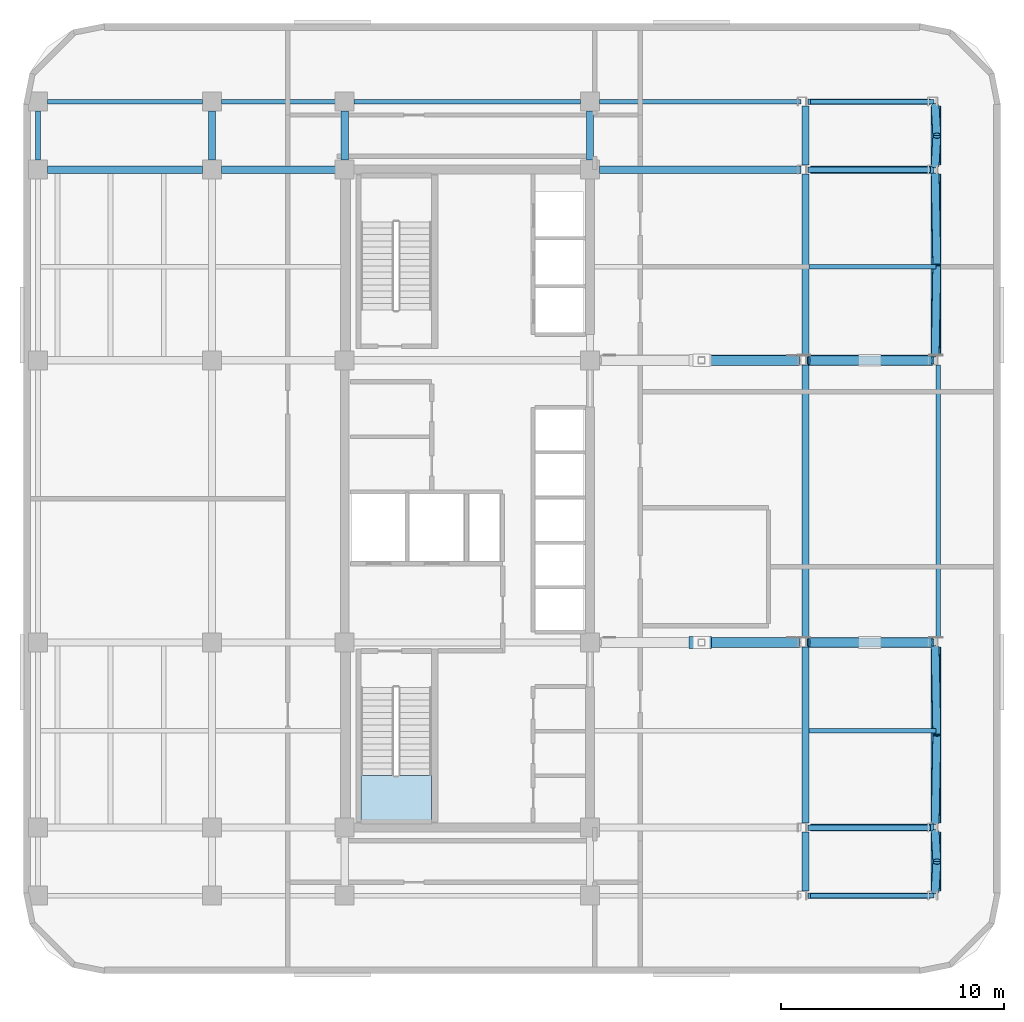
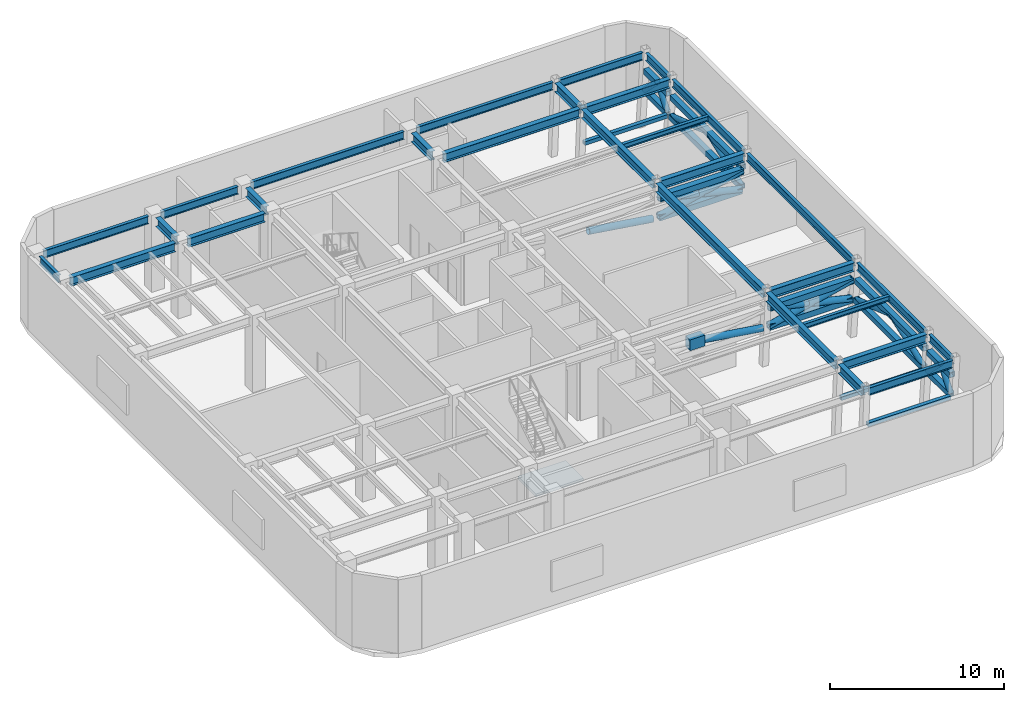
# One storey, part 3 of 12: 32 members, 29 beams, 1 plate, 1 slab, 1 element without a shape of its own.
"""IFC4 building model written with IfcOpenShell, lengths in metres."""

import ifcopenshell
import ifcopenshell.guid

model = None  # the IFC model being written
_history = None  # IfcOwnerHistory: only IFC2X3 demands one
_inside = {}  # id of a spatial element -> (the spatial element, [elements in it])
_under = {}  # id of a project, library or spatial element -> (it, [spatial elements below it])
_declared = {}  # id of a project -> (the project, [libraries it declares])
_typed = {}  # id of a type object -> (the type object, [elements of that type])
_made_of = {}  # id of a material, layer set ... -> (it, [elements and type objects made of it])


def new_model(schema):
    """Start an empty IFC model of exactly this schema.

    Asked for "IFC4X3", IfcOpenShell would pick the latest addendum, in which some entities
    have other attributes; the version numbers below select the first issue.
    IFC2X3 requires an IfcOwnerHistory on every rooted entity: one is made here for all.
    """
    global model, _history
    if schema == "IFC4X3":
        model = ifcopenshell.file(schema_version=(4, 3, 0, 0))
    else:
        model = ifcopenshell.file(schema=schema)
    _inside.clear()
    _under.clear()
    _declared.clear()
    _typed.clear()
    _made_of.clear()
    _history = None
    if model.schema == "IFC2X3":
        org = make("IfcOrganization", Name="unknown")
        user = make(
            "IfcPersonAndOrganization",
            ThePerson=make("IfcPerson", FamilyName="unknown"),
            TheOrganization=org,
        )
        app = make(
            "IfcApplication",
            ApplicationDeveloper=org,
            Version="unknown",
            ApplicationFullName="unknown",
            ApplicationIdentifier="unknown",
        )
        _history = make(
            "IfcOwnerHistory",
            OwningUser=user,
            OwningApplication=app,
            ChangeAction="ADDED",
            CreationDate=0,
        )
    return model


def make(cls, **values):
    """One entity of the class cls with the attributes given. An attribute that is None is left unset."""
    return model.create_entity(
        cls, **{name: value for name, value in values.items() if value is not None}
    )


def rooted(cls, **values):
    """An entity with a GlobalId (a new one), such as an element, a storey or a relation."""
    return make(cls, GlobalId=ifcopenshell.guid.new(), OwnerHistory=_history, **values)


def si_unit(unit_type, name, prefix=None):
    """IfcSIUnit, for example si_unit("LENGTHUNIT", "METRE", prefix="MILLI")."""
    return make("IfcSIUnit", UnitType=unit_type, Prefix=prefix, Name=name)


def assignment(units):
    """IfcUnitAssignment: the units of a project."""
    return None if units is None else make("IfcUnitAssignment", Units=units)


def point(xyz):
    """IfcCartesianPoint."""
    return None if xyz is None else make("IfcCartesianPoint", Coordinates=xyz)


def direction(xyz):
    """IfcDirection."""
    return None if xyz is None else make("IfcDirection", DirectionRatios=xyz)


def frame(location, z_axis=None, x_axis=None):
    """IfcAxis2Placement3D, a coordinate frame: its origin and axes. An axis left out is left unset."""
    return make(
        "IfcAxis2Placement3D",
        Location=point(location),
        Axis=direction(z_axis),
        RefDirection=direction(x_axis),
    )


def frame_2d(location, x_axis=None):
    """IfcAxis2Placement2D, a coordinate frame in the plane: its origin and x axis."""
    return make(
        "IfcAxis2Placement2D", Location=point(location), RefDirection=direction(x_axis)
    )


def origin():
    """The frame at (0, 0, 0) with its axes left unset."""
    return frame((0.0, 0.0, 0.0))


def origin_2d():
    """The frame at (0, 0) in the plane with its x axis left unset."""
    return frame_2d((0.0, 0.0))


def place(relative_to, where):
    """IfcLocalPlacement: puts the frame where relative to a parent placement (None: the world)."""
    return make(
        "IfcLocalPlacement", PlacementRelTo=relative_to, RelativePlacement=where
    )


def context(
    kind, dimensions, precision=None, world=None, true_north=None, identifier=None
):
    """IfcGeometricRepresentationContext, for example the 3D "Model" context."""
    return make(
        "IfcGeometricRepresentationContext",
        ContextIdentifier=identifier,
        ContextType=kind,
        CoordinateSpaceDimension=dimensions,
        Precision=precision,
        WorldCoordinateSystem=world,
        TrueNorth=true_north,
    )


def subcontext(parent, identifier, kind, view, scale=None):
    """IfcGeometricRepresentationSubContext, for example "Body" below "Model"."""
    return make(
        "IfcGeometricRepresentationSubContext",
        ContextIdentifier=identifier,
        ContextType=kind,
        ParentContext=parent,
        TargetScale=scale,
        TargetView=view,
    )


def project(units=None, contexts=None):
    """IfcProject with its units and contexts."""
    return rooted(
        "IfcProject",
        Name="project",
        RepresentationContexts=contexts,
        UnitsInContext=assignment(units),
    )


def spatial(cls, under=None, at=None, **own):
    """A site, building, storey or space (cls), placed at a placement, below another one or the project."""
    s = rooted(cls, ObjectPlacement=at, **own)
    if under is not None:
        _under.setdefault(under.id(), (under, []))[1].append(s)
    return s


def polyline(points):
    """IfcPolyline through the points."""
    return make("IfcPolyline", Points=[point(p) for p in points])


def profile(cls, at=None, kind="AREA", **sizes):
    """A parametric profile (cls). Its sizes go by their IFC names, for example OverallWidth=200.0."""
    return make(cls, ProfileType=kind, Position=at, **sizes)


def rectangle(**sizes):
    """IfcRectangleProfileDef."""
    return profile("IfcRectangleProfileDef", **sizes)


def hollow_rectangle(**sizes):
    """IfcRectangleHollowProfileDef."""
    return profile("IfcRectangleHollowProfileDef", **sizes)


def hollow_circle(**sizes):
    """IfcCircleHollowProfileDef."""
    return profile("IfcCircleHollowProfileDef", **sizes)


def i_section(**sizes):
    """IfcIShapeProfileDef."""
    return profile("IfcIShapeProfileDef", **sizes)


def outline(outer, holes=None, kind="AREA"):
    """IfcArbitraryClosedProfileDef: a profile drawn as a closed curve; with holes, ...WithVoids."""
    if holes is None:
        return make("IfcArbitraryClosedProfileDef", ProfileType=kind, OuterCurve=outer)
    return make(
        "IfcArbitraryProfileDefWithVoids",
        ProfileType=kind,
        OuterCurve=outer,
        InnerCurves=holes,
    )


def extrude(swept, where, along, depth):
    """IfcExtrudedAreaSolid: the profile swept, set in the frame where, extruded along a direction by depth."""
    return make(
        "IfcExtrudedAreaSolid",
        SweptArea=swept,
        Position=where,
        ExtrudedDirection=direction(along),
        Depth=depth,
    )


def shape(context_of_items, identifier, shape_type, items):
    """IfcShapeRepresentation: the items that make up one representation, for example the "Body"."""
    return make(
        "IfcShapeRepresentation",
        ContextOfItems=context_of_items,
        RepresentationIdentifier=identifier,
        RepresentationType=shape_type,
        Items=items,
    )


def material(Name=None, Category=None):
    """IfcMaterial."""
    return make("IfcMaterial", Name=Name, Category=Category)


def layer(
    of_material, thickness, ventilated=None, Name=None, Category=None, Priority=None
):
    """IfcMaterialLayer: one layer of a wall or slab, of a material (None: an air gap)."""
    return make(
        "IfcMaterialLayer",
        Material=of_material,
        LayerThickness=thickness,
        IsVentilated=ventilated,
        Name=Name,
        Category=Category,
        Priority=Priority,
    )


def layer_set(layers, Name=None):
    """IfcMaterialLayerSet."""
    return make("IfcMaterialLayerSet", MaterialLayers=layers, LayerSetName=Name)


def material_profile(
    of_material, cross_section, Name=None, Category=None, Priority=None
):
    """IfcMaterialProfile: a cross section and its material."""
    return make(
        "IfcMaterialProfile",
        Name=Name,
        Material=of_material,
        Profile=cross_section,
        Priority=Priority,
        Category=Category,
    )


def profile_set(profiles, Name=None, composite=None):
    """IfcMaterialProfileSet."""
    return make(
        "IfcMaterialProfileSet",
        Name=Name,
        MaterialProfiles=profiles,
        CompositeProfile=composite,
    )


def made_of(thing, what):
    """Note that an element or type object is made of a material, layer set ...; save() writes the relation."""
    if what is not None:
        _made_of.setdefault(what.id(), (what, []))[1].append(thing)
    return thing


def type_object(cls, material=None, **own):
    """A type object (cls), such as IfcWallType, which elements share."""
    return made_of(rooted(cls, **own), material)


def element(
    cls,
    number,
    at=None,
    inside=None,
    cuts=None,
    type_object=None,
    material=None,
    context=None,
    identifier="Body",
    shape_type=None,
    held_by="IfcProductDefinitionShape",
    body=None,
    shapes=None,
    **own,
):
    """One element of the class cls, such as IfcWall. Its Tag is "e" and its number.

    at: its placement. inside: the storey or other place that contains it. cuts: it is an
    opening in that element (IfcRelVoidsElement). A single representation is given by context,
    identifier, shape_type and body (its items); several are given by shapes. held_by: the class
    of the entity that holds the representations. save() writes the other relations.
    """
    e = rooted(cls, Tag="e%d" % number, ObjectPlacement=at, **own)
    if body is not None:
        shapes = [shape(context, identifier, shape_type, body)]
    if shapes is not None:
        e.Representation = make(held_by, Representations=shapes)
    if inside is not None:
        _inside.setdefault(inside.id(), (inside, []))[1].append(e)
    if cuts is not None:
        rooted(
            "IfcRelVoidsElement", RelatingBuildingElement=cuts, RelatedOpeningElement=e
        )
    if type_object is not None:
        _typed.setdefault(type_object.id(), (type_object, []))[1].append(e)
    return made_of(e, material)


def aggregate(whole, parts):
    """IfcRelAggregates: a whole, such as a stair, and the parts it consists of."""
    return rooted("IfcRelAggregates", RelatingObject=whole, RelatedObjects=parts)


def save(model, path):
    """Write the relations noted so far, then the file.

    IfcRelAggregates (storeys below a building ...), IfcRelContainedInSpatialStructure (elements
    in a storey), IfcRelDefinesByType, IfcRelAssociatesMaterial and IfcRelDeclares: one each for
    every whole, place, type object, material and project.
    """
    for whole, parts in _under.values():
        aggregate(whole, parts)
    for where, things in _inside.values():
        rooted(
            "IfcRelContainedInSpatialStructure",
            RelatedElements=things,
            RelatingStructure=where,
        )
    for kind, things in _typed.values():
        rooted("IfcRelDefinesByType", RelatedObjects=things, RelatingType=kind)
    for what, things in _made_of.values():
        rooted("IfcRelAssociatesMaterial", RelatedObjects=things, RelatingMaterial=what)
    for by, libraries in _declared.values():
        rooted("IfcRelDeclares", RelatingContext=by, RelatedDefinitions=libraries)
    model.write(path)


model = new_model("IFC4")

# Units and contexts
model_context = context("Model", 3, precision=1e-05, world=origin(), true_north=direction((0.0, 1.0)))
body_context = subcontext(model_context, "Body", "Model", "MODEL_VIEW")
ifc_project = project(units=[si_unit("LENGTHUNIT", "METRE"), si_unit("AREAUNIT", "SQUARE_METRE"), si_unit("VOLUMEUNIT", "CUBIC_METRE"), si_unit("PLANEANGLEUNIT", "RADIAN"), si_unit("MASSUNIT", "GRAM", prefix="KILO")], contexts=[model_context])

# Site, building, storey
site_placement = place(None, origin())
site = spatial("IfcSite", under=ifc_project, at=site_placement, CompositionType="ELEMENT")
building_placement = place(site_placement, origin())
building = spatial("IfcBuilding", under=site, at=building_placement, Name="Ochreholt Gables", CompositionType="ELEMENT")
storey_placement = place(building_placement, frame((0.0, 0.0, 135.60009765625)))
storey = spatial("IfcBuildingStorey", under=building, at=storey_placement, Name="L35", CompositionType="ELEMENT", Elevation=135.60009765625)

# Beams
ifc_material_1 = material(Name="Steel CSA G40.21 350W", Category="steel")
ifc_material_profile_1 = material_profile(ifc_material_1, i_section(OverallWidth=0.323974609375, OverallDepth=0.611083984375, WebThickness=0.0126953125, FlangeThickness=0.01904296875, at=origin_2d()), Name="W610X155")
ifc_profile_set_1 = profile_set([ifc_material_profile_1], Name="Steel CSA G40.21 350W")
beam_type_1 = type_object("IfcBeamType", Name="BM-G-W610A", PredefinedType="BEAM", material=ifc_profile_set_1)
for number, where, z_axis, x_axis, name in (
    (1, (45.073486328125, 9.25, 4.8544921875), (1.0, 0.0, 0.0), (0.0, 1.0, 0.0), "L35 Beam TBG-L35-EMEE-Y2"),
    (2, (45.073486328125, 17.550048828125, 4.8544921875), (1.0, 0.0, 0.0), (0.0, 1.0, 0.0), "L35 Beam TBG-L35-EMEE-Y3"),
    (3, (45.073486328125, 30.199951171875, 4.8544921875), (1.0, 0.0, 0.0), (0.0, 1.0, 0.0), "L35 Beam TBG-L35-EMEE-Y4"),
):
    element("IfcBeam", number, at=place(storey_placement, frame(where, z_axis=z_axis, x_axis=x_axis)), inside=storey, type_object=beam_type_1, Name=name, PredefinedType="BEAM", context=body_context, shape_type="SweptSolid", body=[
        extrude(i_section(OverallWidth=0.323974609375, OverallDepth=0.611083984375, WebThickness=0.0126953125, FlangeThickness=0.01904296875, at=origin_2d()), origin(), (0.0, 0.0, 1.0), 5.55859375),
    ])
beam_1_placement = place(storey_placement, frame((10.87451171875, 38.75, 4.8544921875), z_axis=(1.0, 0.0, 0.0), x_axis=(0.0, 1.0, 0.0)))
element("IfcBeam", 4, at=beam_1_placement, inside=storey, type_object=beam_type_1, Name="L35 Beam TBG-L35-W2W3-Y5", PredefinedType="BEAM", context=body_context, shape_type="SweptSolid", body=[
    extrude(i_section(OverallWidth=0.323974609375, OverallDepth=0.611083984375, WebThickness=0.0126953125, FlangeThickness=0.01904296875, at=origin_2d()), origin(), (0.0, 0.0, 1.0), 6.950927734375),
])
beam_2_placement = place(storey_placement, frame((18.674560546875, 38.75, 4.8544921875), z_axis=(1.0, 0.0, 0.0), x_axis=(0.0, 1.0, 0.0)))
element("IfcBeam", 5, at=beam_2_placement, inside=storey, type_object=beam_type_1, Name="L35 Beam TBG-L35-W3C1-Y5", PredefinedType="BEAM", context=body_context, shape_type="SweptSolid", body=[
    extrude(i_section(OverallWidth=0.323974609375, OverallDepth=0.611083984375, WebThickness=0.0126953125, FlangeThickness=0.01904296875, at=origin_2d()), origin(), (0.0, 0.0, 1.0), 5.100830078125),
])
beam_3_placement = place(storey_placement, frame((35.62451171875, 38.75, 4.8544921875), z_axis=(1.0, 0.0, 0.0), x_axis=(0.0, 1.0, 0.0)))
element("IfcBeam", 6, at=beam_3_placement, inside=storey, type_object=beam_type_1, Name="L35 Beam TBG-L35-C2EM-Y5", PredefinedType="BEAM", context=body_context, shape_type="SweptSolid", body=[
    extrude(i_section(OverallWidth=0.323974609375, OverallDepth=0.611083984375, WebThickness=0.0126953125, FlangeThickness=0.01904296875, at=origin_2d()), origin(), (0.0, 0.0, 1.0), 9.0439453125),
])
beam_4_placement = place(storey_placement, frame((45.073486328125, 38.75, 4.8544921875), z_axis=(1.0, 0.0, 0.0), x_axis=(0.0, 1.0, 0.0)))
element("IfcBeam", 7, at=beam_4_placement, inside=storey, type_object=beam_type_1, Name="L35 Beam TBG-L35-EMEE-Y5", PredefinedType="BEAM", context=body_context, shape_type="SweptSolid", body=[
    extrude(i_section(OverallWidth=0.323974609375, OverallDepth=0.611083984375, WebThickness=0.0126953125, FlangeThickness=0.01904296875, at=origin_2d()), origin(), (0.0, 0.0, 1.0), 5.55859375),
])
for number, where, z_axis, x_axis, name in (
    (8, (18.25, 39.174560546875, 4.8544921875), (0.0, 1.0, 0.0), (-1.0, 0.0, 0.0), "L35 Beam TBN-L35-W3-Y5Y6"),
    (9, (24.199951171875, 39.174560546875, 4.8544921875), (0.0, 1.0, 0.0), (-1.0, 0.0, 0.0), "L35 Beam TBN-L35-C1-Y5Y6"),
    (10, (35.199951171875, 39.174560546875, 4.8544921875), (0.0, 1.0, 0.0), (-1.0, 0.0, 0.0), "L35 Beam TBN-L35-C2-Y5Y6"),
):
    element("IfcBeam", number, at=place(storey_placement, frame(where, z_axis=z_axis, x_axis=x_axis)), inside=storey, type_object=beam_type_1, Name=name, PredefinedType="BEAM", context=body_context, shape_type="SweptSolid", body=[
        extrude(i_section(OverallWidth=0.323974609375, OverallDepth=0.611083984375, WebThickness=0.0126953125, FlangeThickness=0.01904296875, at=origin_2d()), origin(), (0.0, 0.0, 1.0), 2.200927734375),
    ])
beam_5_placement = place(storey_placement, frame((44.85400390625, 6.402587890625, 4.8544921875), z_axis=(0.0, 1.0, 0.0), x_axis=(-1.0, 0.0, 0.0)))
element("IfcBeam", 11, at=beam_5_placement, inside=storey, type_object=beam_type_1, Name="L35 Beam TBN-L35-EM-Y1Y2", PredefinedType="BEAM", context=body_context, shape_type="SweptSolid", body=[
    extrude(i_section(OverallWidth=0.323974609375, OverallDepth=0.611083984375, WebThickness=0.0126953125, FlangeThickness=0.01904296875, at=origin_2d()), origin(), (0.0, 0.0, 1.0), 2.644775390625),
])
beam_6_placement = place(storey_placement, frame((44.85400390625, 9.45263671875, 4.8544921875), z_axis=(0.0, 1.0, 0.0), x_axis=(-1.0, 0.0, 0.0)))
element("IfcBeam", 12, at=beam_6_placement, inside=storey, type_object=beam_type_1, Name="L35 Beam TBN-L35-EM-Y2Y3", PredefinedType="BEAM", context=body_context, shape_type="SweptSolid", body=[
    extrude(i_section(OverallWidth=0.323974609375, OverallDepth=0.611083984375, WebThickness=0.0126953125, FlangeThickness=0.01904296875, at=origin_2d()), origin(), (0.0, 0.0, 1.0), 7.894775390625),
])
beam_7_placement = place(storey_placement, frame((44.85400390625, 17.752685546875, 4.8544921875), z_axis=(0.0, 1.0, 0.0), x_axis=(-1.0, 0.0, 0.0)))
element("IfcBeam", 13, at=beam_7_placement, inside=storey, type_object=beam_type_1, Name="L35 Beam TBN-L35-EM-Y3Y4", PredefinedType="BEAM", context=body_context, shape_type="SweptSolid", body=[
    extrude(i_section(OverallWidth=0.323974609375, OverallDepth=0.611083984375, WebThickness=0.0126953125, FlangeThickness=0.01904296875, at=origin_2d()), origin(), (0.0, 0.0, 1.0), 12.24462890625),
])
beam_8_placement = place(storey_placement, frame((44.85400390625, 30.402587890625, 4.8544921875), z_axis=(0.0, 1.0, 0.0), x_axis=(-1.0, 0.0, 0.0)))
element("IfcBeam", 14, at=beam_8_placement, inside=storey, type_object=beam_type_1, Name="L35 Beam TBN-L35-EM-Y4Y5", PredefinedType="BEAM", context=body_context, shape_type="SweptSolid", body=[
    extrude(i_section(OverallWidth=0.323974609375, OverallDepth=0.611083984375, WebThickness=0.0126953125, FlangeThickness=0.01904296875, at=origin_2d()), origin(), (0.0, 0.0, 1.0), 8.144775390625),
])
beam_9_placement = place(storey_placement, frame((44.85400390625, 38.95263671875, 4.8544921875), z_axis=(0.0, 1.0, 0.0), x_axis=(-1.0, 0.0, 0.0)))
element("IfcBeam", 15, at=beam_9_placement, inside=storey, type_object=beam_type_1, Name="L35 Beam TBN-L35-EM-Y5Y6", PredefinedType="BEAM", context=body_context, shape_type="SweptSolid", body=[
    extrude(i_section(OverallWidth=0.323974609375, OverallDepth=0.611083984375, WebThickness=0.0126953125, FlangeThickness=0.01904296875, at=origin_2d()), origin(), (0.0, 0.0, 1.0), 2.644775390625),
])
ifc_material_profile_2 = material_profile(ifc_material_1, i_section(OverallWidth=0.205078125, OverallDepth=0.35400390625, WebThickness=0.009521484375, FlangeThickness=0.016845703125, at=origin_2d()), Name="W360X79")
ifc_profile_set_2 = profile_set([ifc_material_profile_2], Name="Steel CSA G40.21 350W")
beam_type_2 = type_object("IfcBeamType", Name="BM-J-W360A", PredefinedType="JOIST", material=ifc_profile_set_2)
for number, where, z_axis, x_axis, name in (
    (16, (45.015380859375, 13.60009765625, 4.98291015625), (1.0, 0.0, 0.0), (0.0, 1.0, 0.0), "L35 Beam TBJ-L35-J1-EMEE"),
    (17, (45.015380859375, 34.39990234375, 4.98291015625), (1.0, 0.0, 0.0), (0.0, 1.0, 0.0), "L35 Beam TBJ-L35-J2-EMEE"),
):
    element("IfcBeam", number, at=place(storey_placement, frame(where, z_axis=z_axis, x_axis=x_axis)), inside=storey, type_object=beam_type_2, Name=name, PredefinedType="JOIST", context=body_context, shape_type="SweptSolid", body=[
        extrude(i_section(OverallWidth=0.205078125, OverallDepth=0.35400390625, WebThickness=0.009521484375, FlangeThickness=0.016845703125, at=origin_2d()), origin(), (0.0, 0.0, 1.0), 5.68701171875),
    ])
ifc_material_profile_3 = material_profile(ifc_material_1, i_section(OverallWidth=0.208984375, OverallDepth=0.532958984375, WebThickness=0.01025390625, FlangeThickness=0.015625, at=origin_2d()), Name="W530X92")
ifc_profile_set_3 = profile_set([ifc_material_profile_3], Name="Steel CSA G40.21 350W")
beam_type_3 = type_object("IfcBeamType", Name="BM-SP-W530B", PredefinedType="SPANDREL", material=ifc_profile_set_3)
beam_10_placement = place(storey_placement, frame((45.073486328125, 6.199951171875, 4.893310546875), z_axis=(1.0, 0.0, 0.0), x_axis=(0.0, 1.0, 0.0)))
element("IfcBeam", 18, at=beam_10_placement, inside=storey, type_object=beam_type_3, Name="L35 Beam TBG-L35-EMEE-Y1", PredefinedType="SPANDREL", context=body_context, shape_type="SweptSolid", body=[
    extrude(i_section(OverallWidth=0.208984375, OverallDepth=0.532958984375, WebThickness=0.01025390625, FlangeThickness=0.015625, at=origin_2d()), origin(), (0.0, 0.0, 1.0), 5.55859375),
])
beam_11_placement = place(storey_placement, frame((10.87451171875, 41.800048828125, 4.893310546875), z_axis=(1.0, 0.0, 0.0), x_axis=(0.0, 1.0, 0.0)))
element("IfcBeam", 19, at=beam_11_placement, inside=storey, type_object=beam_type_3, Name="L35 Beam TBG-L35-W2W3-Y6", PredefinedType="SPANDREL", context=body_context, shape_type="SweptSolid", body=[
    extrude(i_section(OverallWidth=0.208984375, OverallDepth=0.532958984375, WebThickness=0.01025390625, FlangeThickness=0.015625, at=origin_2d()), origin(), (0.0, 0.0, 1.0), 6.950927734375),
])
beam_12_placement = place(storey_placement, frame((18.674560546875, 41.800048828125, 4.893310546875), z_axis=(1.0, 0.0, 0.0), x_axis=(0.0, 1.0, 0.0)))
element("IfcBeam", 20, at=beam_12_placement, inside=storey, type_object=beam_type_3, Name="L35 Beam TBG-L35-W3C1-Y6", PredefinedType="SPANDREL", context=body_context, shape_type="SweptSolid", body=[
    extrude(i_section(OverallWidth=0.208984375, OverallDepth=0.532958984375, WebThickness=0.01025390625, FlangeThickness=0.015625, at=origin_2d()), origin(), (0.0, 0.0, 1.0), 5.100830078125),
])
beam_13_placement = place(storey_placement, frame((24.62451171875, 41.800048828125, 4.893310546875), z_axis=(1.0, 0.0, 0.0), x_axis=(0.0, 1.0, 0.0)))
element("IfcBeam", 21, at=beam_13_placement, inside=storey, type_object=beam_type_3, Name="L35 Beam TBG-L35-C1C2-Y6", PredefinedType="SPANDREL", context=body_context, shape_type="SweptSolid", body=[
    extrude(i_section(OverallWidth=0.208984375, OverallDepth=0.532958984375, WebThickness=0.01025390625, FlangeThickness=0.015625, at=origin_2d()), origin(), (0.0, 0.0, 1.0), 10.15087890625),
])
beam_14_placement = place(storey_placement, frame((35.62451171875, 41.800048828125, 4.893310546875), z_axis=(1.0, 0.0, 0.0), x_axis=(0.0, 1.0, 0.0)))
element("IfcBeam", 22, at=beam_14_placement, inside=storey, type_object=beam_type_3, Name="L35 Beam TBG-L35-C2EM-Y6", PredefinedType="SPANDREL", context=body_context, shape_type="SweptSolid", body=[
    extrude(i_section(OverallWidth=0.208984375, OverallDepth=0.532958984375, WebThickness=0.01025390625, FlangeThickness=0.015625, at=origin_2d()), origin(), (0.0, 0.0, 1.0), 9.0439453125),
])
beam_15_placement = place(storey_placement, frame((45.073486328125, 41.800048828125, 4.893310546875), z_axis=(1.0, 0.0, 0.0), x_axis=(0.0, 1.0, 0.0)))
element("IfcBeam", 23, at=beam_15_placement, inside=storey, type_object=beam_type_3, Name="L35 Beam TBG-L35-EMEE-Y6", PredefinedType="SPANDREL", context=body_context, shape_type="SweptSolid", body=[
    extrude(i_section(OverallWidth=0.208984375, OverallDepth=0.532958984375, WebThickness=0.01025390625, FlangeThickness=0.015625, at=origin_2d()), origin(), (0.0, 0.0, 1.0), 5.55859375),
])
beam_16_placement = place(storey_placement, frame((10.449951171875, 39.174560546875, 4.893310546875), z_axis=(0.0, 1.0, 0.0), x_axis=(-1.0, 0.0, 0.0)))
element("IfcBeam", 24, at=beam_16_placement, inside=storey, type_object=beam_type_3, Name="L35 Beam TBN-L35-W2-Y5Y6", PredefinedType="SPANDREL", context=body_context, shape_type="SweptSolid", body=[
    extrude(i_section(OverallWidth=0.208984375, OverallDepth=0.532958984375, WebThickness=0.01025390625, FlangeThickness=0.015625, at=origin_2d()), origin(), (0.0, 0.0, 1.0), 2.200927734375),
])
beam_17_placement = place(storey_placement, frame((50.806396484375, 6.402587890625, 4.893310546875), z_axis=(0.0, 1.0, 0.0), x_axis=(-1.0, 0.0, 0.0)))
element("IfcBeam", 25, at=beam_17_placement, inside=storey, type_object=beam_type_3, Name="L35 Beam TBN-L35-EE-Y1Y2", PredefinedType="SPANDREL", context=body_context, shape_type="SweptSolid", body=[
    extrude(i_section(OverallWidth=0.208984375, OverallDepth=0.532958984375, WebThickness=0.01025390625, FlangeThickness=0.015625, at=origin_2d()), origin(), (0.0, 0.0, 1.0), 2.644775390625),
])
beam_18_placement = place(storey_placement, frame((50.806396484375, 9.45263671875, 4.893310546875), z_axis=(0.0, 1.0, 0.0), x_axis=(-1.0, 0.0, 0.0)))
element("IfcBeam", 26, at=beam_18_placement, inside=storey, type_object=beam_type_3, Name="L35 Beam TBN-L35-EE-Y2Y3", PredefinedType="SPANDREL", context=body_context, shape_type="SweptSolid", body=[
    extrude(i_section(OverallWidth=0.208984375, OverallDepth=0.532958984375, WebThickness=0.01025390625, FlangeThickness=0.015625, at=origin_2d()), origin(), (0.0, 0.0, 1.0), 7.894775390625),
])
beam_19_placement = place(storey_placement, frame((50.806396484375, 17.752685546875, 4.893310546875), z_axis=(0.0, 1.0, 0.0), x_axis=(-1.0, 0.0, 0.0)))
element("IfcBeam", 27, at=beam_19_placement, inside=storey, type_object=beam_type_3, Name="L35 Beam TBN-L35-EE-Y3Y4", PredefinedType="SPANDREL", context=body_context, shape_type="SweptSolid", body=[
    extrude(i_section(OverallWidth=0.208984375, OverallDepth=0.532958984375, WebThickness=0.01025390625, FlangeThickness=0.015625, at=origin_2d()), origin(), (0.0, 0.0, 1.0), 12.24462890625),
])
beam_20_placement = place(storey_placement, frame((50.806396484375, 30.402587890625, 4.893310546875), z_axis=(0.0, 1.0, 0.0), x_axis=(-1.0, 0.0, 0.0)))
element("IfcBeam", 28, at=beam_20_placement, inside=storey, type_object=beam_type_3, Name="L35 Beam TBN-L35-EE-Y4Y5", PredefinedType="SPANDREL", context=body_context, shape_type="SweptSolid", body=[
    extrude(i_section(OverallWidth=0.208984375, OverallDepth=0.532958984375, WebThickness=0.01025390625, FlangeThickness=0.015625, at=origin_2d()), origin(), (0.0, 0.0, 1.0), 8.144775390625),
])
beam_21_placement = place(storey_placement, frame((50.806396484375, 38.95263671875, 4.893310546875), z_axis=(0.0, 1.0, 0.0), x_axis=(-1.0, 0.0, 0.0)))
element("IfcBeam", 29, at=beam_21_placement, inside=storey, type_object=beam_type_3, Name="L35 Beam TBN-L35-EE-Y5Y6", PredefinedType="SPANDREL", context=body_context, shape_type="SweptSolid", body=[
    extrude(i_section(OverallWidth=0.208984375, OverallDepth=0.532958984375, WebThickness=0.01025390625, FlangeThickness=0.015625, at=origin_2d()), origin(), (0.0, 0.0, 1.0), 2.644775390625),
])

# Members
ifc_material_profile_4 = material_profile(ifc_material_1, hollow_circle(Radius=0.177978515625, WallThickness=0.0126953125, at=origin_2d()), Name="CHS356X13")
ifc_profile_set_4 = profile_set([ifc_material_profile_4], Name="Steel CSA G40.21 350W")
member_type_1 = type_object("IfcMemberType", Name="MEM-BL-BR2", PredefinedType="BRACE", material=ifc_profile_set_4)
member_1_placement = place(storey_placement, frame((50.67236328125, 6.402587890625, 2.599853515625), z_axis=(0.040991281974, 0.707164886797, 0.705859431957), x_axis=(-0.998324212745, 0.057868525531, 0.0)))
element("IfcMember", 30, at=member_1_placement, inside=storey, type_object=member_type_1, Name="L35 Belt Truss Diagonal 1A", PredefinedType="BRACE", context=body_context, shape_type="SweptSolid", body=[
    extrude(hollow_circle(Radius=0.177978515625, WallThickness=0.0126953125, at=origin_2d()), origin(), (0.0, 0.0, 1.0), 1.8701171875),
])
member_2_placement = place(storey_placement, frame((50.67236328125, 9.04736328125, 2.599853515625), z_axis=(0.040995066349, -0.707099615745, 0.70592459792), x_axis=(0.998323595415, 0.057879174476, 0.0)))
element("IfcMember", 31, at=member_2_placement, inside=storey, type_object=member_type_1, Name="L35 Belt Truss Diagonal 1B", PredefinedType="BRACE", context=body_context, shape_type="SweptSolid", body=[
    extrude(hollow_circle(Radius=0.177978515625, WallThickness=0.0126953125, at=origin_2d()), origin(), (0.0, 0.0, 1.0), 1.869873046875),
])
member_3_placement = place(storey_placement, frame((50.67236328125, 9.45263671875, 2.599853515625), z_axis=(0.018415283049, 0.948211134835, 0.317106482314), x_axis=(-0.999811464184, 0.019417417105, 0.0)))
element("IfcMember", 32, at=member_3_placement, inside=storey, type_object=member_type_1, Name="L35 Belt Truss Diagonal 2A", PredefinedType="BRACE", context=body_context, shape_type="SweptSolid", body=[
    extrude(hollow_circle(Radius=0.177978515625, WallThickness=0.0126953125, at=origin_2d()), origin(), (0.0, 0.0, 1.0), 4.162841796875),
])
member_4_placement = place(storey_placement, frame((50.67236328125, 17.347412109375, 2.599853515625), z_axis=(0.018414259027, -0.948217051608, 0.317088848911), x_axis=(0.999811487497, 0.019416216654, 0.0)))
element("IfcMember", 33, at=member_4_placement, inside=storey, type_object=member_type_1, Name="L35 Belt Truss Diagonal 2B", PredefinedType="BRACE", context=body_context, shape_type="SweptSolid", body=[
    extrude(hollow_circle(Radius=0.177978515625, WallThickness=0.0126953125, at=origin_2d()), origin(), (0.0, 0.0, 1.0), 4.1630859375),
])
member_5_placement = place(storey_placement, frame((50.67236328125, 30.402587890625, 2.599853515625), z_axis=(0.017903730742, 0.951121441115, 0.30829768192), x_axis=(-0.999822879129, 0.018820477432, 0.0)))
element("IfcMember", 34, at=member_5_placement, inside=storey, type_object=member_type_1, Name="L35 Belt Truss Diagonal 3A", PredefinedType="BRACE", context=body_context, shape_type="SweptSolid", body=[
    extrude(hollow_circle(Radius=0.177978515625, WallThickness=0.0126953125, at=origin_2d()), origin(), (0.0, 0.0, 1.0), 4.28173828125),
])
member_6_placement = place(storey_placement, frame((50.67236328125, 38.54736328125, 2.599853515625), z_axis=(0.017904701734, -0.951116002956, 0.308314402157), x_axis=(0.999822857896, 0.018821605358, 0.0)))
element("IfcMember", 35, at=member_6_placement, inside=storey, type_object=member_type_1, Name="L35 Belt Truss Diagonal 3B", PredefinedType="BRACE", context=body_context, shape_type="SweptSolid", body=[
    extrude(hollow_circle(Radius=0.177978515625, WallThickness=0.0126953125, at=origin_2d()), origin(), (0.0, 0.0, 1.0), 4.281494140625),
])
member_7_placement = place(storey_placement, frame((50.67236328125, 38.95263671875, 2.599853515625), z_axis=(0.040995066349, 0.707099615745, 0.70592459792), x_axis=(-0.998323595415, 0.057879174476, 0.0)))
element("IfcMember", 36, at=member_7_placement, inside=storey, type_object=member_type_1, Name="L35 Belt Truss Diagonal 4A", PredefinedType="BRACE", context=body_context, shape_type="SweptSolid", body=[
    extrude(hollow_circle(Radius=0.177978515625, WallThickness=0.0126953125, at=origin_2d()), origin(), (0.0, 0.0, 1.0), 1.869873046875),
])
member_8_placement = place(storey_placement, frame((50.67236328125, 41.597412109375, 2.599853515625), z_axis=(0.040991281974, -0.707164886797, 0.705859431957), x_axis=(0.998324212745, 0.057868525531, 0.0)))
element("IfcMember", 37, at=member_8_placement, inside=storey, type_object=member_type_1, Name="L35 Belt Truss Diagonal 4B", PredefinedType="BRACE", context=body_context, shape_type="SweptSolid", body=[
    extrude(hollow_circle(Radius=0.177978515625, WallThickness=0.0126953125, at=origin_2d()), origin(), (0.0, 0.0, 1.0), 1.8701171875),
])
ifc_material_profile_5 = material_profile(ifc_material_1, hollow_rectangle(XDim=0.35595703125, YDim=0.35595703125, WallThickness=0.01611328125, at=origin_2d()), Name="HSS356X356X16")
ifc_profile_set_5 = profile_set([ifc_material_profile_5], Name="Steel CSA G40.21 350W")
member_type_2 = type_object("IfcMemberType", Name="MEM-BL-CH2", PredefinedType="CHORD", material=ifc_profile_set_5)
for number, where, z_axis, x_axis, name in (
    (38, (50.67236328125, 6.402587890625, 2.599853515625), (0.0, 1.0, 0.0), (-1.0, 0.0, 0.0), "L35 Belt Truss Bottom Chord 1"),
    (39, (50.7490234375, 6.402587890625, 3.919921875), (0.0, 1.0, 0.0), (-1.0, 0.0, 0.0), "L35 Belt Truss Top Chord 1"),
):
    element("IfcMember", number, at=place(storey_placement, frame(where, z_axis=z_axis, x_axis=x_axis)), inside=storey, type_object=member_type_2, Name=name, PredefinedType="CHORD", context=body_context, shape_type="SweptSolid", body=[
        extrude(hollow_rectangle(XDim=0.35595703125, YDim=0.35595703125, WallThickness=0.01611328125, at=origin_2d()), origin(), (0.0, 0.0, 1.0), 2.644775390625),
    ])
for number, where, z_axis, x_axis, name in (
    (40, (50.67236328125, 9.45263671875, 2.599853515625), (0.0, 1.0, 0.0), (-1.0, 0.0, 0.0), "L35 Belt Truss Bottom Chord 2"),
    (41, (50.7490234375, 9.45263671875, 3.919921875), (0.0, 1.0, 0.0), (-1.0, 0.0, 0.0), "L35 Belt Truss Top Chord 2"),
):
    element("IfcMember", number, at=place(storey_placement, frame(where, z_axis=z_axis, x_axis=x_axis)), inside=storey, type_object=member_type_2, Name=name, PredefinedType="CHORD", context=body_context, shape_type="SweptSolid", body=[
        extrude(hollow_rectangle(XDim=0.35595703125, YDim=0.35595703125, WallThickness=0.01611328125, at=origin_2d()), origin(), (0.0, 0.0, 1.0), 7.894775390625),
    ])
for number, where, z_axis, x_axis, name in (
    (42, (50.67236328125, 30.402587890625, 2.599853515625), (0.0, 1.0, 0.0), (-1.0, 0.0, 0.0), "L35 Belt Truss Bottom Chord 3"),
    (43, (50.7490234375, 30.402587890625, 3.919921875), (0.0, 1.0, 0.0), (-1.0, 0.0, 0.0), "L35 Belt Truss Top Chord 3"),
):
    element("IfcMember", number, at=place(storey_placement, frame(where, z_axis=z_axis, x_axis=x_axis)), inside=storey, type_object=member_type_2, Name=name, PredefinedType="CHORD", context=body_context, shape_type="SweptSolid", body=[
        extrude(hollow_rectangle(XDim=0.35595703125, YDim=0.35595703125, WallThickness=0.01611328125, at=origin_2d()), origin(), (0.0, 0.0, 1.0), 8.144775390625),
    ])
for number, where, z_axis, x_axis, name in (
    (44, (50.67236328125, 38.95263671875, 2.599853515625), (0.0, 1.0, 0.0), (-1.0, 0.0, 0.0), "L35 Belt Truss Bottom Chord 4"),
    (45, (50.7490234375, 38.95263671875, 3.919921875), (0.0, 1.0, 0.0), (-1.0, 0.0, 0.0), "L35 Belt Truss Top Chord 4"),
):
    element("IfcMember", number, at=place(storey_placement, frame(where, z_axis=z_axis, x_axis=x_axis)), inside=storey, type_object=member_type_2, Name=name, PredefinedType="CHORD", context=body_context, shape_type="SweptSolid", body=[
        extrude(hollow_rectangle(XDim=0.35595703125, YDim=0.35595703125, WallThickness=0.01611328125, at=origin_2d()), origin(), (0.0, 0.0, 1.0), 2.644775390625),
    ])
ifc_material_profile_6 = material_profile(ifc_material_1, hollow_circle(Radius=0.228515625, WallThickness=0.01611328125, at=origin_2d()), Name="CHS457X16")
ifc_profile_set_6 = profile_set([ifc_material_profile_6], Name="Steel CSA G40.21 350W")
member_type_3 = type_object("IfcMemberType", Name="MEM-OU-BR1", PredefinedType="BRACE", material=ifc_profile_set_6)
member_9_placement = place(storey_placement, frame((44.5703125, 17.550048828125, 2.599853515625), z_axis=(-0.989170552106, 0.0, 0.146770633462), x_axis=(0.0, -1.0, 0.0)))
element("IfcMember", 46, at=member_9_placement, inside=storey, type_object=member_type_3, Name="L35 Outrigger Truss S Split Diagonal 2A", PredefinedType="BRACE", context=body_context, shape_type="SweptSolid", body=[
    extrude(hollow_circle(Radius=0.228515625, WallThickness=0.01611328125, at=origin_2d()), origin(), (0.0, 0.0, 1.0), 4.304931640625),
])
member_10_placement = place(storey_placement, frame((44.9755859375, 17.550048828125, 2.599853515625), z_axis=(0.973054107497, 0.0, 0.230576893647), x_axis=(0.0, 1.0, 0.0)))
element("IfcMember", 47, at=member_10_placement, inside=storey, type_object=member_type_3, Name="L35 Outrigger Truss S Continuous Diagonal 3", PredefinedType="BRACE", context=body_context, shape_type="SweptSolid", body=[
    extrude(hollow_circle(Radius=0.228515625, WallThickness=0.01611328125, at=origin_2d()), origin(), (0.0, 0.0, 1.0), 5.72509765625),
])
member_11_placement = place(storey_placement, frame((50.4697265625, 17.550048828125, 2.599853515625), z_axis=(-0.972359441318, 0.0, 0.233489008047), x_axis=(0.0, -1.0, 0.0)))
element("IfcMember", 48, at=member_11_placement, inside=storey, type_object=member_type_3, Name="L35 Outrigger Truss S Split Diagonal 4A", PredefinedType="BRACE", context=body_context, shape_type="SweptSolid", body=[
    extrude(hollow_circle(Radius=0.228515625, WallThickness=0.01611328125, at=origin_2d()), origin(), (0.0, 0.0, 1.0), 2.62548828125),
])
member_12_placement = place(storey_placement, frame((47.56689453125, 17.550048828125, 3.297607421875), z_axis=(-0.971384676272, 0.0, 0.237511706457), x_axis=(0.0, -1.0, 0.0)))
element("IfcMember", 49, at=member_12_placement, inside=storey, type_object=member_type_3, Name="L35 Outrigger Truss S Split Diagonal 4B", PredefinedType="BRACE", context=body_context, shape_type="SweptSolid", body=[
    extrude(hollow_circle(Radius=0.228515625, WallThickness=0.01611328125, at=origin_2d()), origin(), (0.0, 0.0, 1.0), 2.6201171875),
])
member_13_placement = place(storey_placement, frame((44.5703125, 30.199951171875, 2.599853515625), z_axis=(-0.989170552106, 0.0, 0.146770633462), x_axis=(0.0, -1.0, 0.0)))
element("IfcMember", 50, at=member_13_placement, inside=storey, type_object=member_type_3, Name="L35 Outrigger Truss N Split Diagonal 2A", PredefinedType="BRACE", context=body_context, shape_type="SweptSolid", body=[
    extrude(hollow_circle(Radius=0.228515625, WallThickness=0.01611328125, at=origin_2d()), origin(), (0.0, 0.0, 1.0), 4.304931640625),
])
member_14_placement = place(storey_placement, frame((44.9755859375, 30.199951171875, 2.599853515625), z_axis=(0.973054107497, 0.0, 0.230576893647), x_axis=(0.0, 1.0, 0.0)))
element("IfcMember", 51, at=member_14_placement, inside=storey, type_object=member_type_3, Name="L35 Outrigger Truss N Continuous Diagonal 3", PredefinedType="BRACE", context=body_context, shape_type="SweptSolid", body=[
    extrude(hollow_circle(Radius=0.228515625, WallThickness=0.01611328125, at=origin_2d()), origin(), (0.0, 0.0, 1.0), 5.72509765625),
])
member_15_placement = place(storey_placement, frame((50.4697265625, 30.199951171875, 2.599853515625), z_axis=(-0.972359441318, 0.0, 0.233489008047), x_axis=(0.0, -1.0, 0.0)))
element("IfcMember", 52, at=member_15_placement, inside=storey, type_object=member_type_3, Name="L35 Outrigger Truss N Split Diagonal 4A", PredefinedType="BRACE", context=body_context, shape_type="SweptSolid", body=[
    extrude(hollow_circle(Radius=0.228515625, WallThickness=0.01611328125, at=origin_2d()), origin(), (0.0, 0.0, 1.0), 2.62548828125),
])
member_16_placement = place(storey_placement, frame((47.56689453125, 30.199951171875, 3.297607421875), z_axis=(-0.971384676272, 0.0, 0.237511706457), x_axis=(0.0, -1.0, 0.0)))
element("IfcMember", 53, at=member_16_placement, inside=storey, type_object=member_type_3, Name="L35 Outrigger Truss N Split Diagonal 4B", PredefinedType="BRACE", context=body_context, shape_type="SweptSolid", body=[
    extrude(hollow_circle(Radius=0.228515625, WallThickness=0.01611328125, at=origin_2d()), origin(), (0.0, 0.0, 1.0), 2.6201171875),
])
ifc_material_profile_7 = material_profile(ifc_material_1, hollow_rectangle(XDim=0.406005859375, YDim=0.406005859375, WallThickness=0.01611328125, at=origin_2d()), Name="HSS406X406X16")
ifc_profile_set_7 = profile_set([ifc_material_profile_7], Name="Steel CSA G40.21 350W")
member_type_4 = type_object("IfcMemberType", Name="MEM-OU-CH1", PredefinedType="CHORD", material=ifc_profile_set_7)
member_17_placement = place(storey_placement, frame((44.9755859375, 17.550048828125, 2.599853515625), z_axis=(1.0, 0.0, 0.0), x_axis=(0.0, 1.0, 0.0)))
element("IfcMember", 54, at=member_17_placement, inside=storey, type_object=member_type_4, Name="L35 Outrigger Truss S Bottom Chord 2", PredefinedType="CHORD", context=body_context, shape_type="SweptSolid", body=[
    extrude(hollow_rectangle(XDim=0.406005859375, YDim=0.406005859375, WallThickness=0.01611328125, at=origin_2d()), origin(), (0.0, 0.0, 1.0), 5.494140625),
])
member_18_placement = place(storey_placement, frame((45.021728515625, 17.550048828125, 3.919921875), z_axis=(1.0, 0.0, 0.0), x_axis=(0.0, 1.0, 0.0)))
element("IfcMember", 55, at=member_18_placement, inside=storey, type_object=member_type_4, Name="L35 Outrigger Truss S Top Chord 2", PredefinedType="CHORD", context=body_context, shape_type="SweptSolid", body=[
    extrude(hollow_rectangle(XDim=0.406005859375, YDim=0.406005859375, WallThickness=0.01611328125, at=origin_2d()), origin(), (0.0, 0.0, 1.0), 5.524658203125),
])
member_19_placement = place(storey_placement, frame((44.9755859375, 30.199951171875, 2.599853515625), z_axis=(1.0, 0.0, 0.0), x_axis=(0.0, 1.0, 0.0)))
element("IfcMember", 56, at=member_19_placement, inside=storey, type_object=member_type_4, Name="L35 Outrigger Truss N Bottom Chord 2", PredefinedType="CHORD", context=body_context, shape_type="SweptSolid", body=[
    extrude(hollow_rectangle(XDim=0.406005859375, YDim=0.406005859375, WallThickness=0.01611328125, at=origin_2d()), origin(), (0.0, 0.0, 1.0), 5.494140625),
])
member_20_placement = place(storey_placement, frame((45.021728515625, 30.199951171875, 3.919921875), z_axis=(1.0, 0.0, 0.0), x_axis=(0.0, 1.0, 0.0)))
element("IfcMember", 57, at=member_20_placement, inside=storey, type_object=member_type_4, Name="L35 Outrigger Truss N Top Chord 2", PredefinedType="CHORD", context=body_context, shape_type="SweptSolid", body=[
    extrude(hollow_rectangle(XDim=0.406005859375, YDim=0.406005859375, WallThickness=0.01611328125, at=origin_2d()), origin(), (0.0, 0.0, 1.0), 5.524658203125),
])
ifc_material_profile_8 = material_profile(ifc_material_1, hollow_rectangle(XDim=0.25390625, YDim=0.25390625, WallThickness=0.0126953125, at=origin_2d()), Name="HSS254X254X13")
ifc_profile_set_8 = profile_set([ifc_material_profile_8], Name="Steel CSA G40.21 350W")
member_type_5 = type_object("IfcMemberType", Name="MEM-TB-ST1", PredefinedType="STRUT", material=ifc_profile_set_8)
for number, where, z_axis, x_axis, name in (
    (58, (44.9755859375, 6.199951171875, 2.599853515625), (1.0, 0.0, 0.0), (0.0, 1.0, 0.0), "L35 Belt Lateral Tie Strut 1"),
    (59, (44.9755859375, 9.25, 2.599853515625), (1.0, 0.0, 0.0), (0.0, 1.0, 0.0), "L35 Belt Lateral Tie Strut 2"),
    (60, (44.9755859375, 38.75, 2.599853515625), (1.0, 0.0, 0.0), (0.0, 1.0, 0.0), "L35 Belt Lateral Tie Strut 3"),
    (61, (44.9755859375, 41.800048828125, 2.599853515625), (1.0, 0.0, 0.0), (0.0, 1.0, 0.0), "L35 Belt Lateral Tie Strut 4"),
):
    element("IfcMember", number, at=place(storey_placement, frame(where, z_axis=z_axis, x_axis=x_axis)), inside=storey, type_object=member_type_5, Name=name, PredefinedType="STRUT", context=body_context, shape_type="SweptSolid", body=[
        extrude(hollow_rectangle(XDim=0.25390625, YDim=0.25390625, WallThickness=0.0126953125, at=origin_2d()), origin(), (0.0, 0.0, 1.0), 5.494140625),
    ])

# Stair, slab
ifc_material_2 = material(Name="Concrete 40 MPa", Category="concrete")
stair_type = type_object("IfcStairType", Name="STAIR-CORE-ST-1", PredefinedType="HALF_TURN_STAIR", material=ifc_material_2)
stair_placement = place(storey_placement, origin())
stair = element("IfcStair", 62, at=stair_placement, inside=storey, type_object=stair_type, Name="L35 Core Exit Stair 1", PredefinedType="HALF_TURN_STAIR")
ifc_layer_1 = layer(ifc_material_2, 0.199951171875, Name="Concrete 40 MPa")
ifc_layer_set_1 = layer_set([ifc_layer_1], Name="Concrete 40 MPa")
slab_type = type_object("IfcSlabType", Name="LANDING-RC200", PredefinedType="LANDING", material=ifc_layer_set_1)
slab_placement = place(storey_placement, frame((0.0, 0.0, 2.5)))
slab = element("IfcSlab", 63, at=slab_placement, type_object=slab_type, Name="ST-1 landing 1", PredefinedType="LANDING", context=body_context, shape_type="SweptSolid", body=[
    extrude(outline(polyline([(24.919921875, 11.592041015625), (24.919921875, 9.52001953125), (28.080078125, 9.52001953125), (28.080078125, 11.592041015625), (24.919921875, 11.592041015625)])), origin(), (0.0, 0.0, 1.0), 0.199951171875),
])
aggregate(stair, [slab])

# Plate
ifc_layer_2 = layer(ifc_material_1, 0.0380859375, Name="Steel CSA G40.21 350W")
ifc_layer_set_2 = layer_set([ifc_layer_2], Name="Steel CSA G40.21 350W")
plate_type = type_object("IfcPlateType", Name="PLT-GUSSET-38", PredefinedType="USERDEFINED", material=ifc_layer_set_2)
plate_placement = place(storey_placement, frame((40.134033203125, 17.550048828125, 2.87841796875), z_axis=(0.0, 0.0, 1.0), x_axis=(1.0, 0.0, 0.0)))
element("IfcPlate", 64, at=plate_placement, inside=storey, type_object=plate_type, Name="L35 Outrigger X-Brace Crossing Node Gusset S1", ObjectType="GUSSET PLATE", PredefinedType="USERDEFINED", context=body_context, shape_type="SweptSolid", body=[
    extrude(rectangle(XDim=1.0, YDim=0.52001953125, at=origin_2d()), origin(), (0.0, 0.0, 1.0), 0.760009765625),
])

save(model, "model.ifc")
